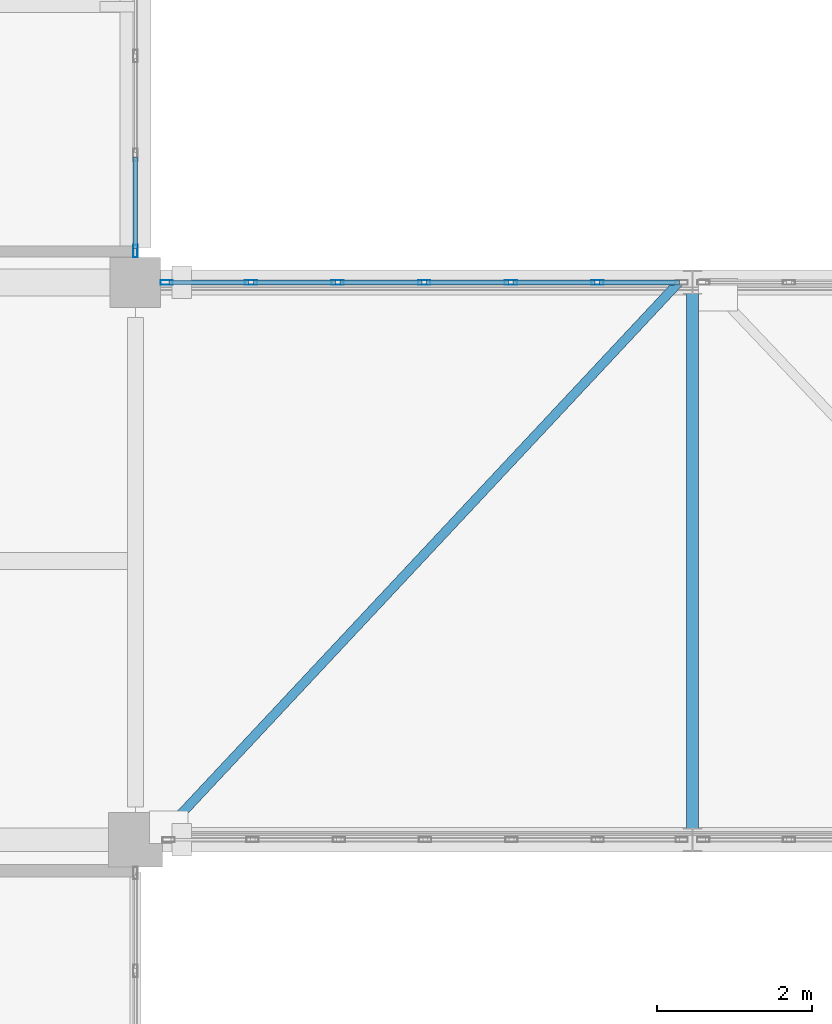
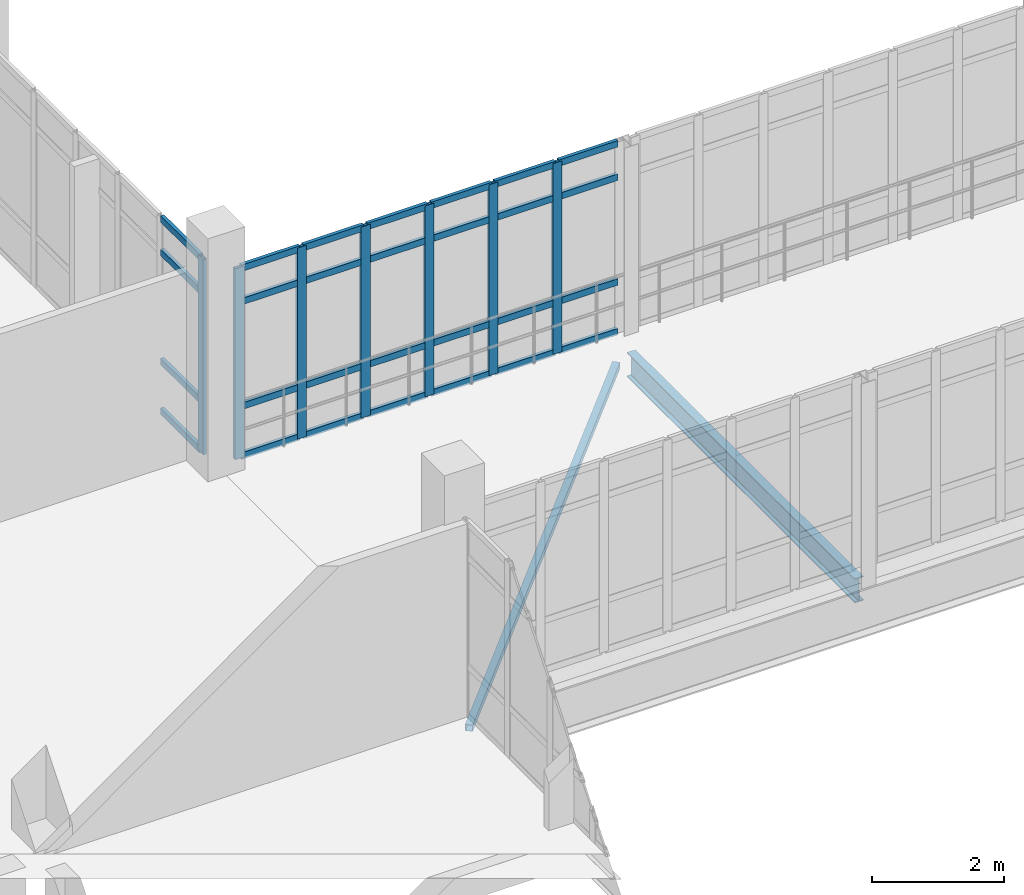
# One storey, part 16 of 124: 36 members, 1 beam, 2 elements without a shape of their own.
"""IFC4 building model written with IfcOpenShell, lengths in metres."""

import ifcopenshell
import ifcopenshell.guid

model = None  # the IFC model being written
_history = None  # IfcOwnerHistory: only IFC2X3 demands one
_inside = {}  # id of a spatial element -> (the spatial element, [elements in it])
_under = {}  # id of a project, library or spatial element -> (it, [spatial elements below it])
_declared = {}  # id of a project -> (the project, [libraries it declares])
_typed = {}  # id of a type object -> (the type object, [elements of that type])
_made_of = {}  # id of a material, layer set ... -> (it, [elements and type objects made of it])


def new_model(schema):
    """Start an empty IFC model of exactly this schema.

    Asked for "IFC4X3", IfcOpenShell would pick the latest addendum, in which some entities
    have other attributes; the version numbers below select the first issue.
    IFC2X3 requires an IfcOwnerHistory on every rooted entity: one is made here for all.
    """
    global model, _history
    if schema == "IFC4X3":
        model = ifcopenshell.file(schema_version=(4, 3, 0, 0))
    else:
        model = ifcopenshell.file(schema=schema)
    _inside.clear()
    _under.clear()
    _declared.clear()
    _typed.clear()
    _made_of.clear()
    _history = None
    if model.schema == "IFC2X3":
        org = make("IfcOrganization", Name="unknown")
        user = make(
            "IfcPersonAndOrganization",
            ThePerson=make("IfcPerson", FamilyName="unknown"),
            TheOrganization=org,
        )
        app = make(
            "IfcApplication",
            ApplicationDeveloper=org,
            Version="unknown",
            ApplicationFullName="unknown",
            ApplicationIdentifier="unknown",
        )
        _history = make(
            "IfcOwnerHistory",
            OwningUser=user,
            OwningApplication=app,
            ChangeAction="ADDED",
            CreationDate=0,
        )
    return model


def make(cls, **values):
    """One entity of the class cls with the attributes given. An attribute that is None is left unset."""
    return model.create_entity(
        cls, **{name: value for name, value in values.items() if value is not None}
    )


def rooted(cls, **values):
    """An entity with a GlobalId (a new one), such as an element, a storey or a relation."""
    return make(cls, GlobalId=ifcopenshell.guid.new(), OwnerHistory=_history, **values)


def si_unit(unit_type, name, prefix=None):
    """IfcSIUnit, for example si_unit("LENGTHUNIT", "METRE", prefix="MILLI")."""
    return make("IfcSIUnit", UnitType=unit_type, Prefix=prefix, Name=name)


def assignment(units):
    """IfcUnitAssignment: the units of a project."""
    return None if units is None else make("IfcUnitAssignment", Units=units)


def point(xyz):
    """IfcCartesianPoint."""
    return None if xyz is None else make("IfcCartesianPoint", Coordinates=xyz)


def direction(xyz):
    """IfcDirection."""
    return None if xyz is None else make("IfcDirection", DirectionRatios=xyz)


def frame(location, z_axis=None, x_axis=None):
    """IfcAxis2Placement3D, a coordinate frame: its origin and axes. An axis left out is left unset."""
    return make(
        "IfcAxis2Placement3D",
        Location=point(location),
        Axis=direction(z_axis),
        RefDirection=direction(x_axis),
    )


def frame_2d(location, x_axis=None):
    """IfcAxis2Placement2D, a coordinate frame in the plane: its origin and x axis."""
    return make(
        "IfcAxis2Placement2D", Location=point(location), RefDirection=direction(x_axis)
    )


def origin():
    """The frame at (0, 0, 0) with its axes left unset."""
    return frame((0.0, 0.0, 0.0))


def origin_2d():
    """The frame at (0, 0) in the plane with its x axis left unset."""
    return frame_2d((0.0, 0.0))


def place(relative_to, where):
    """IfcLocalPlacement: puts the frame where relative to a parent placement (None: the world)."""
    return make(
        "IfcLocalPlacement", PlacementRelTo=relative_to, RelativePlacement=where
    )


def context(
    kind, dimensions, precision=None, world=None, true_north=None, identifier=None
):
    """IfcGeometricRepresentationContext, for example the 3D "Model" context."""
    return make(
        "IfcGeometricRepresentationContext",
        ContextIdentifier=identifier,
        ContextType=kind,
        CoordinateSpaceDimension=dimensions,
        Precision=precision,
        WorldCoordinateSystem=world,
        TrueNorth=true_north,
    )


def subcontext(parent, identifier, kind, view, scale=None):
    """IfcGeometricRepresentationSubContext, for example "Body" below "Model"."""
    return make(
        "IfcGeometricRepresentationSubContext",
        ContextIdentifier=identifier,
        ContextType=kind,
        ParentContext=parent,
        TargetScale=scale,
        TargetView=view,
    )


def project(units=None, contexts=None):
    """IfcProject with its units and contexts."""
    return rooted(
        "IfcProject",
        Name="project",
        RepresentationContexts=contexts,
        UnitsInContext=assignment(units),
    )


def spatial(cls, under=None, at=None, **own):
    """A site, building, storey or space (cls), placed at a placement, below another one or the project."""
    s = rooted(cls, ObjectPlacement=at, **own)
    if under is not None:
        _under.setdefault(under.id(), (under, []))[1].append(s)
    return s


def profile(cls, at=None, kind="AREA", **sizes):
    """A parametric profile (cls). Its sizes go by their IFC names, for example OverallWidth=200.0."""
    return make(cls, ProfileType=kind, Position=at, **sizes)


def hollow_rectangle(**sizes):
    """IfcRectangleHollowProfileDef."""
    return profile("IfcRectangleHollowProfileDef", **sizes)


def i_section(**sizes):
    """IfcIShapeProfileDef."""
    return profile("IfcIShapeProfileDef", **sizes)


def extrude(swept, where, along, depth):
    """IfcExtrudedAreaSolid: the profile swept, set in the frame where, extruded along a direction by depth."""
    return make(
        "IfcExtrudedAreaSolid",
        SweptArea=swept,
        Position=where,
        ExtrudedDirection=direction(along),
        Depth=depth,
    )


def shape(context_of_items, identifier, shape_type, items):
    """IfcShapeRepresentation: the items that make up one representation, for example the "Body"."""
    return make(
        "IfcShapeRepresentation",
        ContextOfItems=context_of_items,
        RepresentationIdentifier=identifier,
        RepresentationType=shape_type,
        Items=items,
    )


def material(Name=None, Category=None):
    """IfcMaterial."""
    return make("IfcMaterial", Name=Name, Category=Category)


def material_profile(
    of_material, cross_section, Name=None, Category=None, Priority=None
):
    """IfcMaterialProfile: a cross section and its material."""
    return make(
        "IfcMaterialProfile",
        Name=Name,
        Material=of_material,
        Profile=cross_section,
        Priority=Priority,
        Category=Category,
    )


def profile_set(profiles, Name=None, composite=None):
    """IfcMaterialProfileSet."""
    return make(
        "IfcMaterialProfileSet",
        Name=Name,
        MaterialProfiles=profiles,
        CompositeProfile=composite,
    )


def made_of(thing, what):
    """Note that an element or type object is made of a material, layer set ...; save() writes the relation."""
    if what is not None:
        _made_of.setdefault(what.id(), (what, []))[1].append(thing)
    return thing


def type_object(cls, material=None, **own):
    """A type object (cls), such as IfcWallType, which elements share."""
    return made_of(rooted(cls, **own), material)


def element(
    cls,
    number,
    at=None,
    inside=None,
    cuts=None,
    type_object=None,
    material=None,
    context=None,
    identifier="Body",
    shape_type=None,
    held_by="IfcProductDefinitionShape",
    body=None,
    shapes=None,
    **own,
):
    """One element of the class cls, such as IfcWall. Its Tag is "e" and its number.

    at: its placement. inside: the storey or other place that contains it. cuts: it is an
    opening in that element (IfcRelVoidsElement). A single representation is given by context,
    identifier, shape_type and body (its items); several are given by shapes. held_by: the class
    of the entity that holds the representations. save() writes the other relations.
    """
    e = rooted(cls, Tag="e%d" % number, ObjectPlacement=at, **own)
    if body is not None:
        shapes = [shape(context, identifier, shape_type, body)]
    if shapes is not None:
        e.Representation = make(held_by, Representations=shapes)
    if inside is not None:
        _inside.setdefault(inside.id(), (inside, []))[1].append(e)
    if cuts is not None:
        rooted(
            "IfcRelVoidsElement", RelatingBuildingElement=cuts, RelatedOpeningElement=e
        )
    if type_object is not None:
        _typed.setdefault(type_object.id(), (type_object, []))[1].append(e)
    return made_of(e, material)


def aggregate(whole, parts):
    """IfcRelAggregates: a whole, such as a stair, and the parts it consists of."""
    return rooted("IfcRelAggregates", RelatingObject=whole, RelatedObjects=parts)


def save(model, path):
    """Write the relations noted so far, then the file.

    IfcRelAggregates (storeys below a building ...), IfcRelContainedInSpatialStructure (elements
    in a storey), IfcRelDefinesByType, IfcRelAssociatesMaterial and IfcRelDeclares: one each for
    every whole, place, type object, material and project.
    """
    for whole, parts in _under.values():
        aggregate(whole, parts)
    for where, things in _inside.values():
        rooted(
            "IfcRelContainedInSpatialStructure",
            RelatedElements=things,
            RelatingStructure=where,
        )
    for kind, things in _typed.values():
        rooted("IfcRelDefinesByType", RelatedObjects=things, RelatingType=kind)
    for what, things in _made_of.values():
        rooted("IfcRelAssociatesMaterial", RelatedObjects=things, RelatingMaterial=what)
    for by, libraries in _declared.values():
        rooted("IfcRelDeclares", RelatingContext=by, RelatedDefinitions=libraries)
    model.write(path)


model = new_model("IFC4")

# Units and contexts
model_context = context("Model", 3, precision=1e-05, world=origin(), true_north=direction((0.0, 1.0)))
body_context = subcontext(model_context, "Body", "Model", "MODEL_VIEW")
ifc_project = project(units=[si_unit("LENGTHUNIT", "METRE"), si_unit("AREAUNIT", "SQUARE_METRE"), si_unit("VOLUMEUNIT", "CUBIC_METRE"), si_unit("PLANEANGLEUNIT", "RADIAN"), si_unit("MASSUNIT", "GRAM", prefix="KILO")], contexts=[model_context])

# Site, building, storey
site_placement = place(None, origin())
site = spatial("IfcSite", under=ifc_project, at=site_placement, CompositionType="ELEMENT")
building_placement = place(site_placement, origin())
building = spatial("IfcBuilding", under=site, at=building_placement, Name="Kalluvel Institute of Natural Sciences", CompositionType="ELEMENT")
storey_placement = place(building_placement, frame((0.0, 0.0, 9.89990234375)))
storey = spatial("IfcBuildingStorey", under=building, at=storey_placement, Name="L02", CompositionType="ELEMENT", Elevation=9.89990234375)

# Beam
ifc_material_1 = material(Name="Steel E350 Grade 350", Category="steel")
ifc_material_profile_1 = material_profile(ifc_material_1, i_section(OverallWidth=0.14990234375, OverallDepth=0.449951171875, WebThickness=0.009521484375, FlangeThickness=0.017333984375, FilletRadius=0.014892578125, at=origin_2d()), Name="ISMB 450")
ifc_profile_set_1 = profile_set([ifc_material_profile_1], Name="Steel E350 Grade 350")
beam_type = type_object("IfcBeamType", Name="BM-ISMB450", PredefinedType="BEAM", material=ifc_profile_set_1)
beam_placement = place(storey_placement, frame((42.800048828125, 28.5400390625, -0.544921875), z_axis=(0.0, 1.0, 0.0), x_axis=(-1.0, 0.0, 0.0)))
element("IfcBeam", 1, at=beam_placement, inside=storey, type_object=beam_type, Name="L02 link bridge cross girder 55", PredefinedType="BEAM", context=body_context, shape_type="SweptSolid", body=[
    extrude(i_section(OverallWidth=0.14990234375, OverallDepth=0.449951171875, WebThickness=0.009521484375, FlangeThickness=0.017333984375, FilletRadius=0.014892578125, at=origin_2d()), origin(), (0.0, 0.0, 1.0), 6.919921875),
])

# Curtain wall, member
ifc_material_2 = material(Name="Aluminium AW-6063 T6", Category="aluminium")
curtain_wall_type_1 = type_object("IfcCurtainWallType", Name="CW-DRY-45", PredefinedType="USERDEFINED", material=ifc_material_2)
curtain_wall_1_placement = place(storey_placement, origin())
curtain_wall_1 = element("IfcCurtainWall", 2, at=curtain_wall_1_placement, inside=storey, type_object=curtain_wall_type_1, Name="L02 Gothic lancet curtain wall CWA-L02-X356-Y360", ObjectType="UNITISED LANCET FACADE", PredefinedType="USERDEFINED")
ifc_material_profile_2 = material_profile(ifc_material_2, hollow_rectangle(XDim=0.06005859375, YDim=0.159912109375, WallThickness=0.00390625, at=origin_2d()), Name="CWM 60x160")
ifc_profile_set_2 = profile_set([ifc_material_profile_2], Name="Aluminium AW-6063 T6")
member_type_1 = type_object("IfcMemberType", Name="CWM-60x160", PredefinedType="MULLION", material=ifc_profile_set_2)
member_1_placement = place(storey_placement, frame((35.60009765625, 36.0048828125, 0.0), z_axis=(0.0, 0.0, 1.0), x_axis=(-1.0, 0.0, 0.0)))
member_1 = element("IfcMember", 3, at=member_1_placement, type_object=member_type_1, Name="CW-03 mullion 1", PredefinedType="MULLION", context=body_context, shape_type="SweptSolid", body=[
    extrude(hollow_rectangle(XDim=0.06005859375, YDim=0.159912109375, WallThickness=0.00390625, at=origin_2d()), origin(), (0.0, 0.0, 1.0), 3.6201171875),
])

# Curtain wall, members
curtain_wall_type_2 = type_object("IfcCurtainWallType", Name="CW-BRG-45", PredefinedType="USERDEFINED", material=ifc_material_2)
curtain_wall_2_placement = place(storey_placement, origin())
curtain_wall_2 = element("IfcCurtainWall", 4, at=curtain_wall_2_placement, inside=storey, type_object=curtain_wall_type_2, Name="L02 Gothic lancet curtain wall CWA-L02-X360-Y356", ObjectType="UNITISED LANCET FACADE", PredefinedType="USERDEFINED")
member_2_placement = place(storey_placement, frame((36.0048828125, 35.60009765625, 0.0), z_axis=(0.0, 0.0, 1.0), x_axis=(0.0, 1.0, 0.0)))
member_2 = element("IfcMember", 5, at=member_2_placement, type_object=member_type_1, Name="CW-07 mullion 1", PredefinedType="MULLION", context=body_context, shape_type="SweptSolid", body=[
    extrude(hollow_rectangle(XDim=0.06005859375, YDim=0.159912109375, WallThickness=0.00390625, at=origin_2d()), origin(), (0.0, 0.0, 1.0), 3.5400390625),
])
member_3_placement = place(storey_placement, frame((37.09423828125, 35.60009765625, 0.0), z_axis=(0.0, 0.0, 1.0), x_axis=(0.0, 1.0, 0.0)))
member_3 = element("IfcMember", 6, at=member_3_placement, type_object=member_type_1, Name="CW-07 mullion 2", PredefinedType="MULLION", context=body_context, shape_type="SweptSolid", body=[
    extrude(hollow_rectangle(XDim=0.06005859375, YDim=0.159912109375, WallThickness=0.00390625, at=origin_2d()), origin(), (0.0, 0.0, 1.0), 3.5400390625),
])
member_4_placement = place(storey_placement, frame((38.21337890625, 35.60009765625, 0.0), z_axis=(0.0, 0.0, 1.0), x_axis=(0.0, 1.0, 0.0)))
member_4 = element("IfcMember", 7, at=member_4_placement, type_object=member_type_1, Name="CW-07 mullion 3", PredefinedType="MULLION", context=body_context, shape_type="SweptSolid", body=[
    extrude(hollow_rectangle(XDim=0.06005859375, YDim=0.159912109375, WallThickness=0.00390625, at=origin_2d()), origin(), (0.0, 0.0, 1.0), 3.5400390625),
])
member_5_placement = place(storey_placement, frame((39.33251953125, 35.60009765625, 0.0), z_axis=(0.0, 0.0, 1.0), x_axis=(0.0, 1.0, 0.0)))
member_5 = element("IfcMember", 8, at=member_5_placement, type_object=member_type_1, Name="CW-07 mullion 4", PredefinedType="MULLION", context=body_context, shape_type="SweptSolid", body=[
    extrude(hollow_rectangle(XDim=0.06005859375, YDim=0.159912109375, WallThickness=0.00390625, at=origin_2d()), origin(), (0.0, 0.0, 1.0), 3.5400390625),
])
member_6_placement = place(storey_placement, frame((40.45166015625, 35.60009765625, 0.0), z_axis=(0.0, 0.0, 1.0), x_axis=(0.0, 1.0, 0.0)))
member_6 = element("IfcMember", 9, at=member_6_placement, type_object=member_type_1, Name="CW-07 mullion 5", PredefinedType="MULLION", context=body_context, shape_type="SweptSolid", body=[
    extrude(hollow_rectangle(XDim=0.06005859375, YDim=0.159912109375, WallThickness=0.00390625, at=origin_2d()), origin(), (0.0, 0.0, 1.0), 3.5400390625),
])
member_7_placement = place(storey_placement, frame((41.57080078125, 35.60009765625, 0.0), z_axis=(0.0, 0.0, 1.0), x_axis=(0.0, 1.0, 0.0)))
member_7 = element("IfcMember", 10, at=member_7_placement, type_object=member_type_1, Name="CW-07 mullion 6", PredefinedType="MULLION", context=body_context, shape_type="SweptSolid", body=[
    extrude(hollow_rectangle(XDim=0.06005859375, YDim=0.159912109375, WallThickness=0.00390625, at=origin_2d()), origin(), (0.0, 0.0, 1.0), 3.5400390625),
])

# Member
ifc_material_profile_3 = material_profile(ifc_material_2, hollow_rectangle(XDim=0.06005859375, YDim=0.1201171875, WallThickness=0.00390625, at=origin_2d()), Name="CWT 60x120")
ifc_profile_set_3 = profile_set([ifc_material_profile_3], Name="Aluminium AW-6063 T6")
member_type_2 = type_object("IfcMemberType", Name="CWT-60x120", PredefinedType="USERDEFINED", material=ifc_profile_set_3)
member_8_placement = place(storey_placement, frame((35.60009765625, 36.034912109375, 0.030029296875), z_axis=(0.0, 1.0, 0.0), x_axis=(-1.0, 0.0, 0.0)))
member_8 = element("IfcMember", 11, at=member_8_placement, type_object=member_type_2, Name="CW-03 transom 1.1", ObjectType="TRANSOM", PredefinedType="USERDEFINED", context=body_context, shape_type="SweptSolid", body=[
    extrude(hollow_rectangle(XDim=0.06005859375, YDim=0.1201171875, WallThickness=0.00390625, at=origin_2d()), origin(), (0.0, 0.0, 1.0), 1.18505859375),
])

member_9_placement = place(storey_placement, frame((35.60009765625, 36.034912109375, 0.9501953125), z_axis=(0.0, 1.0, 0.0), x_axis=(-1.0, 0.0, 0.0)))
member_9 = element("IfcMember", 12, at=member_9_placement, type_object=member_type_2, Name="CW-03 transom 1.2", ObjectType="TRANSOM", PredefinedType="USERDEFINED", context=body_context, shape_type="SweptSolid", body=[
    extrude(hollow_rectangle(XDim=0.06005859375, YDim=0.1201171875, WallThickness=0.00390625, at=origin_2d()), origin(), (0.0, 0.0, 1.0), 1.18505859375),
])

member_10_placement = place(storey_placement, frame((35.60009765625, 36.034912109375, 2.97021484375), z_axis=(0.0, 1.0, 0.0), x_axis=(-1.0, 0.0, 0.0)))
member_10 = element("IfcMember", 13, at=member_10_placement, type_object=member_type_2, Name="CW-03 transom 1.3", ObjectType="TRANSOM", PredefinedType="USERDEFINED", context=body_context, shape_type="SweptSolid", body=[
    extrude(hollow_rectangle(XDim=0.06005859375, YDim=0.1201171875, WallThickness=0.00390625, at=origin_2d()), origin(), (0.0, 0.0, 1.0), 1.18505859375),
])

member_11_placement = place(storey_placement, frame((35.60009765625, 36.034912109375, 3.590087890625), z_axis=(0.0, 1.0, 0.0), x_axis=(-1.0, 0.0, 0.0)))
member_11 = element("IfcMember", 14, at=member_11_placement, type_object=member_type_2, Name="CW-03 transom 1.4", ObjectType="TRANSOM", PredefinedType="USERDEFINED", context=body_context, shape_type="SweptSolid", body=[
    extrude(hollow_rectangle(XDim=0.06005859375, YDim=0.1201171875, WallThickness=0.00390625, at=origin_2d()), origin(), (0.0, 0.0, 1.0), 1.18505859375),
])

aggregate(curtain_wall_1, [member_1, member_8, member_9, member_10, member_11])

member_12_placement = place(storey_placement, frame((36.034912109375, 35.60009765625, 0.030029296875), z_axis=(1.0, 0.0, 0.0), x_axis=(0.0, 1.0, 0.0)))
member_12 = element("IfcMember", 15, at=member_12_placement, type_object=member_type_2, Name="CW-07 transom 1.1", ObjectType="TRANSOM", PredefinedType="USERDEFINED", context=body_context, shape_type="SweptSolid", body=[
    extrude(hollow_rectangle(XDim=0.06005859375, YDim=0.1201171875, WallThickness=0.00390625, at=origin_2d()), origin(), (0.0, 0.0, 1.0), 1.029296875),
])

member_13_placement = place(storey_placement, frame((36.034912109375, 35.60009765625, 0.9501953125), z_axis=(1.0, 0.0, 0.0), x_axis=(0.0, 1.0, 0.0)))
member_13 = element("IfcMember", 16, at=member_13_placement, type_object=member_type_2, Name="CW-07 transom 1.2", ObjectType="TRANSOM", PredefinedType="USERDEFINED", context=body_context, shape_type="SweptSolid", body=[
    extrude(hollow_rectangle(XDim=0.06005859375, YDim=0.1201171875, WallThickness=0.00390625, at=origin_2d()), origin(), (0.0, 0.0, 1.0), 1.029296875),
])

member_14_placement = place(storey_placement, frame((36.034912109375, 35.60009765625, 2.89013671875), z_axis=(1.0, 0.0, 0.0), x_axis=(0.0, 1.0, 0.0)))
member_14 = element("IfcMember", 17, at=member_14_placement, type_object=member_type_2, Name="CW-07 transom 1.3", ObjectType="TRANSOM", PredefinedType="USERDEFINED", context=body_context, shape_type="SweptSolid", body=[
    extrude(hollow_rectangle(XDim=0.06005859375, YDim=0.1201171875, WallThickness=0.00390625, at=origin_2d()), origin(), (0.0, 0.0, 1.0), 1.029296875),
])

member_15_placement = place(storey_placement, frame((36.034912109375, 35.60009765625, 3.510009765625), z_axis=(1.0, 0.0, 0.0), x_axis=(0.0, 1.0, 0.0)))
member_15 = element("IfcMember", 18, at=member_15_placement, type_object=member_type_2, Name="CW-07 transom 1.4", ObjectType="TRANSOM", PredefinedType="USERDEFINED", context=body_context, shape_type="SweptSolid", body=[
    extrude(hollow_rectangle(XDim=0.06005859375, YDim=0.1201171875, WallThickness=0.00390625, at=origin_2d()), origin(), (0.0, 0.0, 1.0), 1.029296875),
])

member_16_placement = place(storey_placement, frame((37.124267578125, 35.60009765625, 0.030029296875), z_axis=(1.0, 0.0, 0.0), x_axis=(0.0, 1.0, 0.0)))
member_16 = element("IfcMember", 19, at=member_16_placement, type_object=member_type_2, Name="CW-07 transom 2.1", ObjectType="TRANSOM", PredefinedType="USERDEFINED", context=body_context, shape_type="SweptSolid", body=[
    extrude(hollow_rectangle(XDim=0.06005859375, YDim=0.1201171875, WallThickness=0.00390625, at=origin_2d()), origin(), (0.0, 0.0, 1.0), 1.05908203125),
])

member_17_placement = place(storey_placement, frame((37.124267578125, 35.60009765625, 0.9501953125), z_axis=(1.0, 0.0, 0.0), x_axis=(0.0, 1.0, 0.0)))
member_17 = element("IfcMember", 20, at=member_17_placement, type_object=member_type_2, Name="CW-07 transom 2.2", ObjectType="TRANSOM", PredefinedType="USERDEFINED", context=body_context, shape_type="SweptSolid", body=[
    extrude(hollow_rectangle(XDim=0.06005859375, YDim=0.1201171875, WallThickness=0.00390625, at=origin_2d()), origin(), (0.0, 0.0, 1.0), 1.05908203125),
])

member_18_placement = place(storey_placement, frame((37.124267578125, 35.60009765625, 2.89013671875), z_axis=(1.0, 0.0, 0.0), x_axis=(0.0, 1.0, 0.0)))
member_18 = element("IfcMember", 21, at=member_18_placement, type_object=member_type_2, Name="CW-07 transom 2.3", ObjectType="TRANSOM", PredefinedType="USERDEFINED", context=body_context, shape_type="SweptSolid", body=[
    extrude(hollow_rectangle(XDim=0.06005859375, YDim=0.1201171875, WallThickness=0.00390625, at=origin_2d()), origin(), (0.0, 0.0, 1.0), 1.05908203125),
])

member_19_placement = place(storey_placement, frame((37.124267578125, 35.60009765625, 3.510009765625), z_axis=(1.0, 0.0, 0.0), x_axis=(0.0, 1.0, 0.0)))
member_19 = element("IfcMember", 22, at=member_19_placement, type_object=member_type_2, Name="CW-07 transom 2.4", ObjectType="TRANSOM", PredefinedType="USERDEFINED", context=body_context, shape_type="SweptSolid", body=[
    extrude(hollow_rectangle(XDim=0.06005859375, YDim=0.1201171875, WallThickness=0.00390625, at=origin_2d()), origin(), (0.0, 0.0, 1.0), 1.05908203125),
])

member_20_placement = place(storey_placement, frame((38.243408203125, 35.60009765625, 0.030029296875), z_axis=(1.0, 0.0, 0.0), x_axis=(0.0, 1.0, 0.0)))
member_20 = element("IfcMember", 23, at=member_20_placement, type_object=member_type_2, Name="CW-07 transom 3.1", ObjectType="TRANSOM", PredefinedType="USERDEFINED", context=body_context, shape_type="SweptSolid", body=[
    extrude(hollow_rectangle(XDim=0.06005859375, YDim=0.1201171875, WallThickness=0.00390625, at=origin_2d()), origin(), (0.0, 0.0, 1.0), 1.05908203125),
])

member_21_placement = place(storey_placement, frame((38.243408203125, 35.60009765625, 0.9501953125), z_axis=(1.0, 0.0, 0.0), x_axis=(0.0, 1.0, 0.0)))
member_21 = element("IfcMember", 24, at=member_21_placement, type_object=member_type_2, Name="CW-07 transom 3.2", ObjectType="TRANSOM", PredefinedType="USERDEFINED", context=body_context, shape_type="SweptSolid", body=[
    extrude(hollow_rectangle(XDim=0.06005859375, YDim=0.1201171875, WallThickness=0.00390625, at=origin_2d()), origin(), (0.0, 0.0, 1.0), 1.05908203125),
])

member_22_placement = place(storey_placement, frame((38.243408203125, 35.60009765625, 2.89013671875), z_axis=(1.0, 0.0, 0.0), x_axis=(0.0, 1.0, 0.0)))
member_22 = element("IfcMember", 25, at=member_22_placement, type_object=member_type_2, Name="CW-07 transom 3.3", ObjectType="TRANSOM", PredefinedType="USERDEFINED", context=body_context, shape_type="SweptSolid", body=[
    extrude(hollow_rectangle(XDim=0.06005859375, YDim=0.1201171875, WallThickness=0.00390625, at=origin_2d()), origin(), (0.0, 0.0, 1.0), 1.05908203125),
])

member_23_placement = place(storey_placement, frame((38.243408203125, 35.60009765625, 3.510009765625), z_axis=(1.0, 0.0, 0.0), x_axis=(0.0, 1.0, 0.0)))
member_23 = element("IfcMember", 26, at=member_23_placement, type_object=member_type_2, Name="CW-07 transom 3.4", ObjectType="TRANSOM", PredefinedType="USERDEFINED", context=body_context, shape_type="SweptSolid", body=[
    extrude(hollow_rectangle(XDim=0.06005859375, YDim=0.1201171875, WallThickness=0.00390625, at=origin_2d()), origin(), (0.0, 0.0, 1.0), 1.05908203125),
])

member_24_placement = place(storey_placement, frame((39.362548828125, 35.60009765625, 0.030029296875), z_axis=(1.0, 0.0, 0.0), x_axis=(0.0, 1.0, 0.0)))
member_24 = element("IfcMember", 27, at=member_24_placement, type_object=member_type_2, Name="CW-07 transom 4.1", ObjectType="TRANSOM", PredefinedType="USERDEFINED", context=body_context, shape_type="SweptSolid", body=[
    extrude(hollow_rectangle(XDim=0.06005859375, YDim=0.1201171875, WallThickness=0.00390625, at=origin_2d()), origin(), (0.0, 0.0, 1.0), 1.05908203125),
])

member_25_placement = place(storey_placement, frame((39.362548828125, 35.60009765625, 0.9501953125), z_axis=(1.0, 0.0, 0.0), x_axis=(0.0, 1.0, 0.0)))
member_25 = element("IfcMember", 28, at=member_25_placement, type_object=member_type_2, Name="CW-07 transom 4.2", ObjectType="TRANSOM", PredefinedType="USERDEFINED", context=body_context, shape_type="SweptSolid", body=[
    extrude(hollow_rectangle(XDim=0.06005859375, YDim=0.1201171875, WallThickness=0.00390625, at=origin_2d()), origin(), (0.0, 0.0, 1.0), 1.05908203125),
])

member_26_placement = place(storey_placement, frame((39.362548828125, 35.60009765625, 2.89013671875), z_axis=(1.0, 0.0, 0.0), x_axis=(0.0, 1.0, 0.0)))
member_26 = element("IfcMember", 29, at=member_26_placement, type_object=member_type_2, Name="CW-07 transom 4.3", ObjectType="TRANSOM", PredefinedType="USERDEFINED", context=body_context, shape_type="SweptSolid", body=[
    extrude(hollow_rectangle(XDim=0.06005859375, YDim=0.1201171875, WallThickness=0.00390625, at=origin_2d()), origin(), (0.0, 0.0, 1.0), 1.05908203125),
])

member_27_placement = place(storey_placement, frame((39.362548828125, 35.60009765625, 3.510009765625), z_axis=(1.0, 0.0, 0.0), x_axis=(0.0, 1.0, 0.0)))
member_27 = element("IfcMember", 30, at=member_27_placement, type_object=member_type_2, Name="CW-07 transom 4.4", ObjectType="TRANSOM", PredefinedType="USERDEFINED", context=body_context, shape_type="SweptSolid", body=[
    extrude(hollow_rectangle(XDim=0.06005859375, YDim=0.1201171875, WallThickness=0.00390625, at=origin_2d()), origin(), (0.0, 0.0, 1.0), 1.05908203125),
])

member_28_placement = place(storey_placement, frame((40.481689453125, 35.60009765625, 0.030029296875), z_axis=(1.0, 0.0, 0.0), x_axis=(0.0, 1.0, 0.0)))
member_28 = element("IfcMember", 31, at=member_28_placement, type_object=member_type_2, Name="CW-07 transom 5.1", ObjectType="TRANSOM", PredefinedType="USERDEFINED", context=body_context, shape_type="SweptSolid", body=[
    extrude(hollow_rectangle(XDim=0.06005859375, YDim=0.1201171875, WallThickness=0.00390625, at=origin_2d()), origin(), (0.0, 0.0, 1.0), 1.05908203125),
])

member_29_placement = place(storey_placement, frame((40.481689453125, 35.60009765625, 0.9501953125), z_axis=(1.0, 0.0, 0.0), x_axis=(0.0, 1.0, 0.0)))
member_29 = element("IfcMember", 32, at=member_29_placement, type_object=member_type_2, Name="CW-07 transom 5.2", ObjectType="TRANSOM", PredefinedType="USERDEFINED", context=body_context, shape_type="SweptSolid", body=[
    extrude(hollow_rectangle(XDim=0.06005859375, YDim=0.1201171875, WallThickness=0.00390625, at=origin_2d()), origin(), (0.0, 0.0, 1.0), 1.05908203125),
])

member_30_placement = place(storey_placement, frame((40.481689453125, 35.60009765625, 2.89013671875), z_axis=(1.0, 0.0, 0.0), x_axis=(0.0, 1.0, 0.0)))
member_30 = element("IfcMember", 33, at=member_30_placement, type_object=member_type_2, Name="CW-07 transom 5.3", ObjectType="TRANSOM", PredefinedType="USERDEFINED", context=body_context, shape_type="SweptSolid", body=[
    extrude(hollow_rectangle(XDim=0.06005859375, YDim=0.1201171875, WallThickness=0.00390625, at=origin_2d()), origin(), (0.0, 0.0, 1.0), 1.05908203125),
])

member_31_placement = place(storey_placement, frame((40.481689453125, 35.60009765625, 3.510009765625), z_axis=(1.0, 0.0, 0.0), x_axis=(0.0, 1.0, 0.0)))
member_31 = element("IfcMember", 34, at=member_31_placement, type_object=member_type_2, Name="CW-07 transom 5.4", ObjectType="TRANSOM", PredefinedType="USERDEFINED", context=body_context, shape_type="SweptSolid", body=[
    extrude(hollow_rectangle(XDim=0.06005859375, YDim=0.1201171875, WallThickness=0.00390625, at=origin_2d()), origin(), (0.0, 0.0, 1.0), 1.05908203125),
])

member_32_placement = place(storey_placement, frame((41.600830078125, 35.60009765625, 0.030029296875), z_axis=(1.0, 0.0, 0.0), x_axis=(0.0, 1.0, 0.0)))
member_32 = element("IfcMember", 35, at=member_32_placement, type_object=member_type_2, Name="CW-07 transom 6.1", ObjectType="TRANSOM", PredefinedType="USERDEFINED", context=body_context, shape_type="SweptSolid", body=[
    extrude(hollow_rectangle(XDim=0.06005859375, YDim=0.1201171875, WallThickness=0.00390625, at=origin_2d()), origin(), (0.0, 0.0, 1.0), 1.029052734375),
])

member_33_placement = place(storey_placement, frame((41.600830078125, 35.60009765625, 0.9501953125), z_axis=(1.0, 0.0, 0.0), x_axis=(0.0, 1.0, 0.0)))
member_33 = element("IfcMember", 36, at=member_33_placement, type_object=member_type_2, Name="CW-07 transom 6.2", ObjectType="TRANSOM", PredefinedType="USERDEFINED", context=body_context, shape_type="SweptSolid", body=[
    extrude(hollow_rectangle(XDim=0.06005859375, YDim=0.1201171875, WallThickness=0.00390625, at=origin_2d()), origin(), (0.0, 0.0, 1.0), 1.029052734375),
])

member_34_placement = place(storey_placement, frame((41.600830078125, 35.60009765625, 2.89013671875), z_axis=(1.0, 0.0, 0.0), x_axis=(0.0, 1.0, 0.0)))
member_34 = element("IfcMember", 37, at=member_34_placement, type_object=member_type_2, Name="CW-07 transom 6.3", ObjectType="TRANSOM", PredefinedType="USERDEFINED", context=body_context, shape_type="SweptSolid", body=[
    extrude(hollow_rectangle(XDim=0.06005859375, YDim=0.1201171875, WallThickness=0.00390625, at=origin_2d()), origin(), (0.0, 0.0, 1.0), 1.029052734375),
])

member_35_placement = place(storey_placement, frame((41.600830078125, 35.60009765625, 3.510009765625), z_axis=(1.0, 0.0, 0.0), x_axis=(0.0, 1.0, 0.0)))
member_35 = element("IfcMember", 38, at=member_35_placement, type_object=member_type_2, Name="CW-07 transom 6.4", ObjectType="TRANSOM", PredefinedType="USERDEFINED", context=body_context, shape_type="SweptSolid", body=[
    extrude(hollow_rectangle(XDim=0.06005859375, YDim=0.1201171875, WallThickness=0.00390625, at=origin_2d()), origin(), (0.0, 0.0, 1.0), 1.029052734375),
])

aggregate(curtain_wall_2, [member_2, member_3, member_4, member_5, member_6, member_7, member_12, member_13, member_14, member_15, member_16, member_17, member_18, member_19, member_20, member_21, member_22, member_23, member_24, member_25, member_26, member_27, member_28, member_29, member_30, member_31, member_32, member_33, member_34, member_35])

ifc_material_profile_4 = material_profile(ifc_material_1, hollow_rectangle(XDim=0.1201171875, YDim=0.1201171875, WallThickness=0.006103515625, at=origin_2d()), Name="SHS 120x120x6")
ifc_profile_set_4 = profile_set([ifc_material_profile_4], Name="Steel E350 Grade 350")
member_type_3 = type_object("IfcMemberType", Name="MB-BR-SHS120", PredefinedType="BRACE", material=ifc_profile_set_4)
member_36_placement = place(storey_placement, frame((35.8798828125, 28.39990234375, -0.599853515625), z_axis=(0.683404078651, 0.730040317574, 0.0), x_axis=(-0.730040317574, 0.683404078651, 0.0)))
element("IfcMember", 39, at=member_36_placement, inside=storey, type_object=member_type_3, Name="L02 link bridge horizontal plan brace L02-01-1", PredefinedType="BRACE", context=body_context, shape_type="SweptSolid", body=[
    extrude(hollow_rectangle(XDim=0.1201171875, YDim=0.1201171875, WallThickness=0.006103515625, at=origin_2d()), origin(), (0.0, 0.0, 1.0), 9.86279296875),
])

save(model, "model.ifc")
